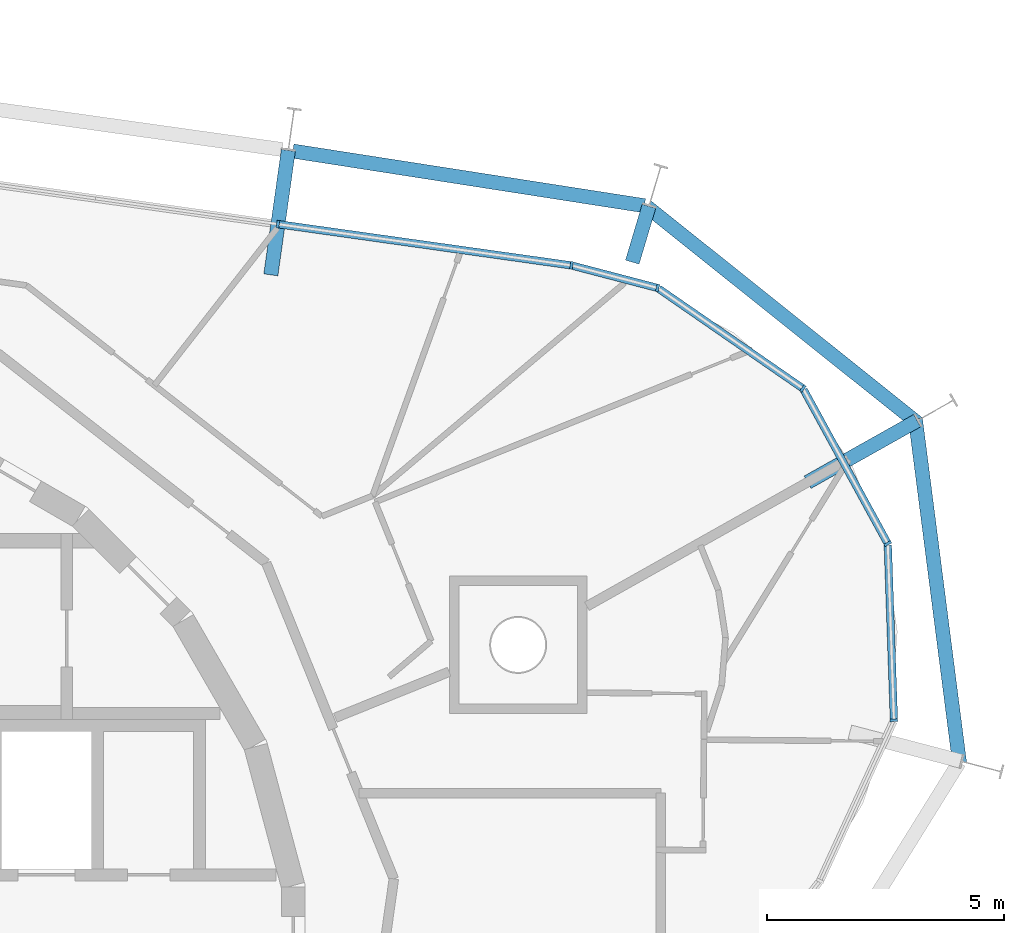
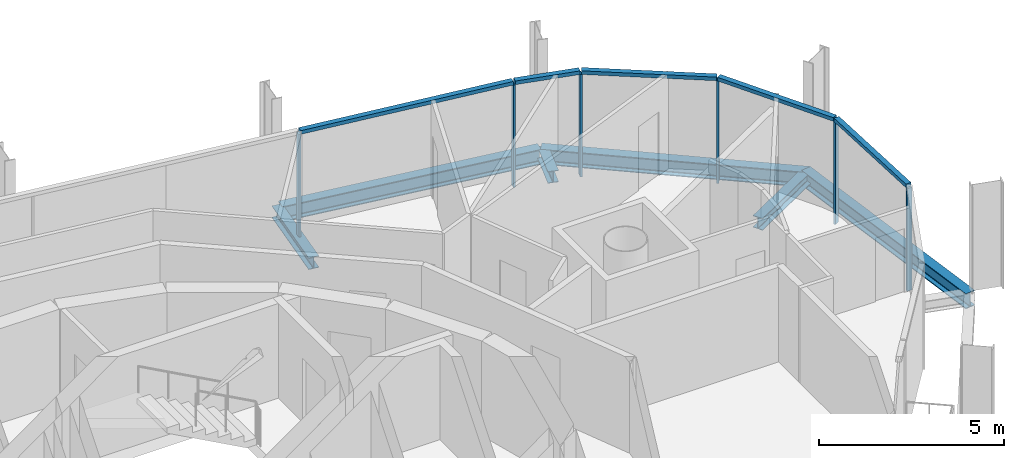
# One storey, part 7 of 15: 11 members, 6 beams, 2 elements without a shape of their own.
"""IFC4 building model written with IfcOpenShell, lengths in metres."""

from ifc_helpers import new_model, si_unit, direction, frame, origin, origin_2d, place, context, subcontext, project, spatial, rectangle, i_section, extrude, material, layer, layer_set, material_profile, profile_set, type_object, element, aggregate, save


model = new_model("IFC4")

# Units and contexts
model_context = context("Model", 3, precision=1e-05, world=origin(), true_north=direction((0.0, 1.0)))
body_context = subcontext(model_context, "Body", "Model", "MODEL_VIEW")
ifc_project = project(units=[si_unit("LENGTHUNIT", "METRE"), si_unit("AREAUNIT", "SQUARE_METRE"), si_unit("VOLUMEUNIT", "CUBIC_METRE"), si_unit("PLANEANGLEUNIT", "RADIAN"), si_unit("MASSUNIT", "GRAM", prefix="KILO")], contexts=[model_context])

# Site, building, storey
site_placement = place(None, origin())
site = spatial("IfcSite", under=ifc_project, at=site_placement, CompositionType="ELEMENT")
building_placement = place(site_placement, origin())
building = spatial("IfcBuilding", under=site, at=building_placement, Name="Spindle Arch Residences", CompositionType="ELEMENT")
storey_placement = place(building_placement, frame((0.0, 0.0, 354.0)))
storey = spatial("IfcBuildingStorey", under=building, at=storey_placement, Name="L91", CompositionType="ELEMENT", Elevation=354.0)

# Curtain wall, members
ifc_material_1 = material(Name="Aluminium bronze unitised frame with tinted glass", Category="aluminium")
ifc_layer_1 = layer(ifc_material_1, 0.159912109375)
ifc_layer_set_1 = layer_set([ifc_layer_1], Name="CW-D corner wall on the fillet arcs")
curtain_wall_type_1 = type_object("IfcCurtainWallType", Name="CW-D corner wall on the fillet arcs", PredefinedType="NOTDEFINED", material=ifc_layer_set_1)
curtain_wall_1_placement = place(storey_placement, origin())
curtain_wall_1 = element("IfcCurtainWall", 1, at=curtain_wall_1_placement, inside=storey, type_object=curtain_wall_type_1, Name="CW-D L91 run 1", PredefinedType="NOTDEFINED")
ifc_material_2 = material(Name="Aluminium bronze anodised mullion", Category="aluminium")
ifc_material_profile_1 = material_profile(ifc_material_2, rectangle(XDim=0.159912109375, YDim=0.06005859375, at=origin_2d()), Name="MU 60x160")
ifc_profile_set_1 = profile_set([ifc_material_profile_1], Name="Aluminium bronze anodised mullion")
member_type_1 = type_object("IfcMemberType", Name="Bronze mullion 60x160", PredefinedType="MULLION", material=ifc_profile_set_1)
member_1_placement = place(storey_placement, frame((24.31201171875, 5.033935546875, -0.3798828125), z_axis=(0.0, 0.0, 1.0), x_axis=(-0.999390827004, -0.034899497139, 0.0)))
member_1 = element("IfcMember", 2, at=member_1_placement, type_object=member_type_1, Name="CW-D mullion 02", PredefinedType="MULLION", context=body_context, shape_type="SweptSolid", body=[
    extrude(rectangle(XDim=0.159912109375, YDim=0.06005859375, at=origin_2d()), origin(), (0.0, 0.0, 1.0), 3.3798828125),
])
member_2_placement = place(storey_placement, frame((24.18212890625, 8.758544921875, -0.3798828125), z_axis=(0.0, 0.0, 1.0), x_axis=(-0.877425397533, -0.479713114021, 0.0)))
member_2 = element("IfcMember", 3, at=member_2_placement, type_object=member_type_1, Name="CW-D mullion 03", PredefinedType="MULLION", context=body_context, shape_type="SweptSolid", body=[
    extrude(rectangle(XDim=0.159912109375, YDim=0.06005859375, at=origin_2d()), origin(), (0.0, 0.0, 1.0), 3.3798828125),
])
member_3_placement = place(storey_placement, frame((22.394287109375, 12.0283203125, -0.3798828125), z_axis=(0.0, 0.0, 1.0), x_axis=(-0.568801123739, -0.822475094841, 0.0)))
member_3 = element("IfcMember", 4, at=member_3_placement, type_object=member_type_1, Name="CW-D mullion 04", PredefinedType="MULLION", context=body_context, shape_type="SweptSolid", body=[
    extrude(rectangle(XDim=0.159912109375, YDim=0.06005859375, at=origin_2d()), origin(), (0.0, 0.0, 1.0), 3.3798828125),
])
member_4_placement = place(storey_placement, frame((19.3291015625, 14.148193359375, -0.3798828125), z_axis=(0.0, 0.0, 1.0), x_axis=(-0.25319517245, -0.967415218326, 0.0)))
member_4 = element("IfcMember", 5, at=member_4_placement, type_object=member_type_1, Name="CW-D mullion 05", PredefinedType="MULLION", context=body_context, shape_type="SweptSolid", body=[
    extrude(rectangle(XDim=0.159912109375, YDim=0.06005859375, at=origin_2d()), origin(), (0.0, 0.0, 1.0), 3.3798828125),
])
member_5_placement = place(storey_placement, frame((17.51416015625, 14.623291015625, -0.3798828125), z_axis=(0.0, 0.0, 1.0), x_axis=(-0.13917310096, -0.990268068742, 0.0)))
member_5 = element("IfcMember", 6, at=member_5_placement, type_object=member_type_1, Name="CW-D mullion 06", PredefinedType="MULLION", context=body_context, shape_type="SweptSolid", body=[
    extrude(rectangle(XDim=0.159912109375, YDim=0.06005859375, at=origin_2d()), origin(), (0.0, 0.0, 1.0), 3.3798828125),
])

# Curtain wall, member
ifc_material_3 = material(Name="Aluminium bronze unitised frame with tinted glass", Category="aluminium")
ifc_layer_2 = layer(ifc_material_3, 0.159912109375)
ifc_layer_set_2 = layer_set([ifc_layer_2], Name="CW-C typical residential unitised wall")
curtain_wall_type_2 = type_object("IfcCurtainWallType", Name="CW-C typical residential unitised wall", PredefinedType="NOTDEFINED", material=ifc_layer_set_2)
curtain_wall_2_placement = place(storey_placement, origin())
curtain_wall_2 = element("IfcCurtainWall", 7, at=curtain_wall_2_placement, inside=storey, type_object=curtain_wall_type_2, Name="CW-C L91 run 2", PredefinedType="NOTDEFINED")
member_6_placement = place(storey_placement, frame((11.326171875, 15.492919921875, -0.3798828125), z_axis=(0.0, 0.0, 1.0), x_axis=(-0.13917310096, -0.990268068742, 0.0)))
member_6 = element("IfcMember", 8, at=member_6_placement, type_object=member_type_1, Name="CW-C mullion 05", PredefinedType="MULLION", context=body_context, shape_type="SweptSolid", body=[
    extrude(rectangle(XDim=0.159912109375, YDim=0.06005859375, at=origin_2d()), origin(), (0.0, 0.0, 1.0), 3.3798828125),
])
aggregate(curtain_wall_2, [member_6])

# Member
ifc_material_4 = material(Name="Aluminium bronze anodised transom", Category="aluminium")
ifc_material_profile_2 = material_profile(ifc_material_4, rectangle(XDim=0.159912109375, YDim=0.1201171875, at=origin_2d()), Name="TR 120x160")
ifc_profile_set_2 = profile_set([ifc_material_profile_2], Name="Aluminium bronze anodised transom")
member_type_2 = type_object("IfcMemberType", Name="Bronze transom 120x160", PredefinedType="USERDEFINED", material=ifc_profile_set_2)
member_7_placement = place(storey_placement, frame((24.31103515625, 5.06396484375, 3.06005859375), z_axis=(-0.034888806725, 0.999391200264, 0.0), x_axis=(-0.999391200264, -0.034888806725, 0.0)))
member_7 = element("IfcMember", 9, at=member_7_placement, type_object=member_type_2, Name="CW-D transom 02", ObjectType="TRANSOM", PredefinedType="USERDEFINED", context=body_context, shape_type="SweptSolid", body=[
    extrude(rectangle(XDim=0.159912109375, YDim=0.1201171875, at=origin_2d()), origin(), (0.0, 0.0, 1.0), 3.666748046875),
])

member_8_placement = place(storey_placement, frame((24.167724609375, 8.784912109375, 3.06005859375), z_axis=(-0.479724247399, 0.877419310511, 0.0), x_axis=(-0.877419310511, -0.479724247399, 0.0)))
member_8 = element("IfcMember", 10, at=member_8_placement, type_object=member_type_2, Name="CW-D transom 03", ObjectType="TRANSOM", PredefinedType="USERDEFINED", context=body_context, shape_type="SweptSolid", body=[
    extrude(rectangle(XDim=0.159912109375, YDim=0.1201171875, at=origin_2d()), origin(), (0.0, 0.0, 1.0), 3.666748046875),
])

member_9_placement = place(storey_placement, frame((22.36962890625, 12.04541015625, 3.06005859375), z_axis=(-0.822474926174, 0.568801367628, 0.0), x_axis=(-0.568801367628, -0.822474926174, 0.0)))
member_9 = element("IfcMember", 11, at=member_9_placement, type_object=member_type_2, Name="CW-D transom 04", ObjectType="TRANSOM", PredefinedType="USERDEFINED", context=body_context, shape_type="SweptSolid", body=[
    extrude(rectangle(XDim=0.159912109375, YDim=0.1201171875, at=origin_2d()), origin(), (0.0, 0.0, 1.0), 3.666748046875),
])

member_10_placement = place(storey_placement, frame((19.300048828125, 14.15576171875, 3.06005859375), z_axis=(-0.96739418578, 0.253275520568, 0.0), x_axis=(-0.253275520568, -0.96739418578, 0.0)))
member_10 = element("IfcMember", 12, at=member_10_placement, type_object=member_type_2, Name="CW-D transom 05", ObjectType="TRANSOM", PredefinedType="USERDEFINED", context=body_context, shape_type="SweptSolid", body=[
    extrude(rectangle(XDim=0.159912109375, YDim=0.1201171875, at=origin_2d()), origin(), (0.0, 0.0, 1.0), 1.816162109375),
])

member_11_placement = place(storey_placement, frame((17.484375, 14.62744140625, 3.06005859375), z_axis=(-0.990267285989, 0.139178670423, 0.0), x_axis=(-0.139178670423, -0.990267285989, 0.0)))
member_11 = element("IfcMember", 13, at=member_11_placement, type_object=member_type_2, Name="CW-D transom 06", ObjectType="TRANSOM", PredefinedType="USERDEFINED", context=body_context, shape_type="SweptSolid", body=[
    extrude(rectangle(XDim=0.159912109375, YDim=0.1201171875, at=origin_2d()), origin(), (0.0, 0.0, 1.0), 6.188720703125),
])

aggregate(curtain_wall_1, [member_1, member_7, member_2, member_8, member_3, member_9, member_4, member_10, member_5, member_11])

# Beams
ifc_material_5 = material(Name="Steel S460ML, intumescent coating R 120", Category="steel")
ifc_material_profile_3 = material_profile(ifc_material_5, i_section(OverallWidth=0.300048828125, OverallDepth=0.5, WebThickness=0.014404296875, FlangeThickness=0.028076171875, FilletRadius=0.027099609375, at=origin_2d()), Name="HEB 500")
ifc_profile_set_3 = profile_set([ifc_material_profile_3], Name="Steel S460ML, intumescent coating R 120")
beam_type_1 = type_object("IfcBeamType", Name="Exoskeleton edge beam HEB 500", PredefinedType="BEAM", material=ifc_profile_set_3)
beam_1_placement = place(storey_placement, frame((25.69580078125, 4.128662109375, -0.6298828125), z_axis=(-0.127344466516, 0.991858551835, 0.0), x_axis=(-0.991858551835, -0.127344466516, 0.0)))
element("IfcBeam", 14, at=beam_1_placement, inside=storey, type_object=beam_type_1, Name="Exoskeleton edge beam 3", PredefinedType="BEAM", context=body_context, shape_type="SweptSolid", body=[
    extrude(i_section(OverallWidth=0.300048828125, OverallDepth=0.5, WebThickness=0.014404296875, FlangeThickness=0.028076171875, FilletRadius=0.027099609375, at=origin_2d()), origin(), (0.0, 0.0, 1.0), 7.31591796875),
])
beam_2_placement = place(storey_placement, frame((24.811279296875, 11.30078125, -0.6298828125), z_axis=(-0.781184527882, 0.624300194937, 0.0), x_axis=(-0.624300194937, -0.781184527882, 0.0)))
element("IfcBeam", 15, at=beam_2_placement, inside=storey, type_object=beam_type_1, Name="Exoskeleton edge beam 4", PredefinedType="BEAM", context=body_context, shape_type="SweptSolid", body=[
    extrude(i_section(OverallWidth=0.300048828125, OverallDepth=0.5, WebThickness=0.014404296875, FlangeThickness=0.028076171875, FilletRadius=0.027099609375, at=origin_2d()), origin(), (0.0, 0.0, 1.0), 7.315673828125),
])
beam_3_placement = place(storey_placement, frame((19.051513671875, 15.881103515625, -0.6298828125), z_axis=(-0.988123169285, 0.15366392655, 0.0), x_axis=(-0.15366392655, -0.988123169285, 0.0)))
element("IfcBeam", 16, at=beam_3_placement, inside=storey, type_object=beam_type_1, Name="Exoskeleton edge beam 5", PredefinedType="BEAM", context=body_context, shape_type="SweptSolid", body=[
    extrude(i_section(OverallWidth=0.300048828125, OverallDepth=0.5, WebThickness=0.014404296875, FlangeThickness=0.028076171875, FilletRadius=0.027099609375, at=origin_2d()), origin(), (0.0, 0.0, 1.0), 7.500732421875),
])
ifc_material_6 = material(Name="Steel S460ML, intumescent coating R 120", Category="steel")
ifc_material_profile_4 = material_profile(ifc_material_6, i_section(OverallWidth=0.300048828125, OverallDepth=0.389892578125, WebThickness=0.010986328125, FlangeThickness=0.01904296875, FilletRadius=0.027099609375, at=origin_2d()), Name="HEA 400")
ifc_profile_set_4 = profile_set([ifc_material_profile_4], Name="Steel S460ML, intumescent coating R 120")
beam_type_2 = type_object("IfcBeamType", Name="Floor outrigger HEA 400", PredefinedType="BEAM", material=ifc_profile_set_4)
beam_4_placement = place(storey_placement, frame((24.801513671875, 11.3505859375, -0.574951171875), z_axis=(-0.871686240554, -0.490064381514, 0.0), x_axis=(0.490064381514, -0.871686240554, 0.0)))
element("IfcBeam", 17, at=beam_4_placement, inside=storey, type_object=beam_type_2, Name="Floor outrigger 4", PredefinedType="BEAM", context=body_context, shape_type="SweptSolid", body=[
    extrude(i_section(OverallWidth=0.300048828125, OverallDepth=0.389892578125, WebThickness=0.010986328125, FlangeThickness=0.01904296875, FilletRadius=0.027099609375, at=origin_2d()), origin(), (0.0, 0.0, 1.0), 2.64990234375),
])
beam_5_placement = place(storey_placement, frame((19.147216796875, 15.869384765625, -0.574951171875), z_axis=(-0.285798722121, -0.958289669377, 0.0), x_axis=(0.958289669377, -0.285798722121, 0.0)))
element("IfcBeam", 18, at=beam_5_placement, inside=storey, type_object=beam_type_2, Name="Floor outrigger 5", PredefinedType="BEAM", context=body_context, shape_type="SweptSolid", body=[
    extrude(i_section(OverallWidth=0.300048828125, OverallDepth=0.389892578125, WebThickness=0.010986328125, FlangeThickness=0.01904296875, FilletRadius=0.027099609375, at=origin_2d()), origin(), (0.0, 0.0, 1.0), 1.229248046875),
])
beam_6_placement = place(storey_placement, frame((11.544921875, 17.047607421875, -0.574951171875), z_axis=(-0.1392026036, -0.990263921968, 0.0), x_axis=(0.990263921968, -0.1392026036, 0.0)))
element("IfcBeam", 19, at=beam_6_placement, inside=storey, type_object=beam_type_2, Name="Floor outrigger 6", PredefinedType="BEAM", context=body_context, shape_type="SweptSolid", body=[
    extrude(i_section(OverallWidth=0.300048828125, OverallDepth=0.389892578125, WebThickness=0.010986328125, FlangeThickness=0.01904296875, FilletRadius=0.027099609375, at=origin_2d()), origin(), (0.0, 0.0, 1.0), 2.650146484375),
])

save(model, "model.ifc")
